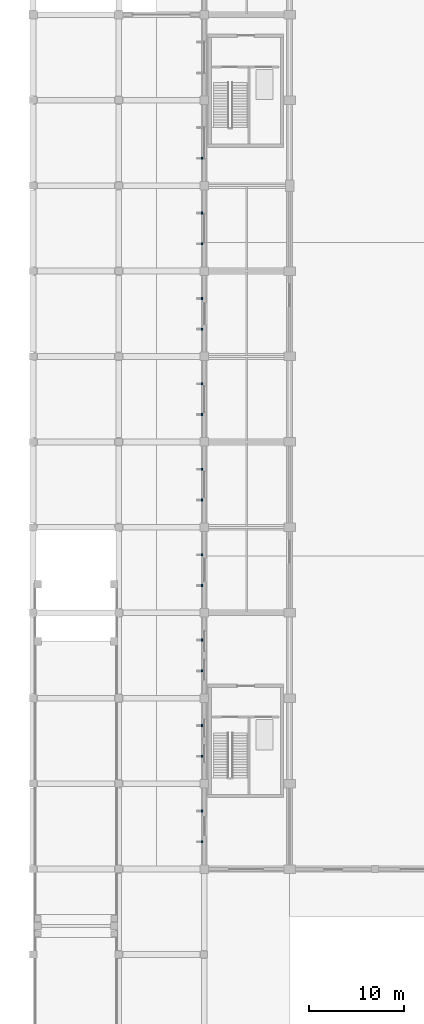
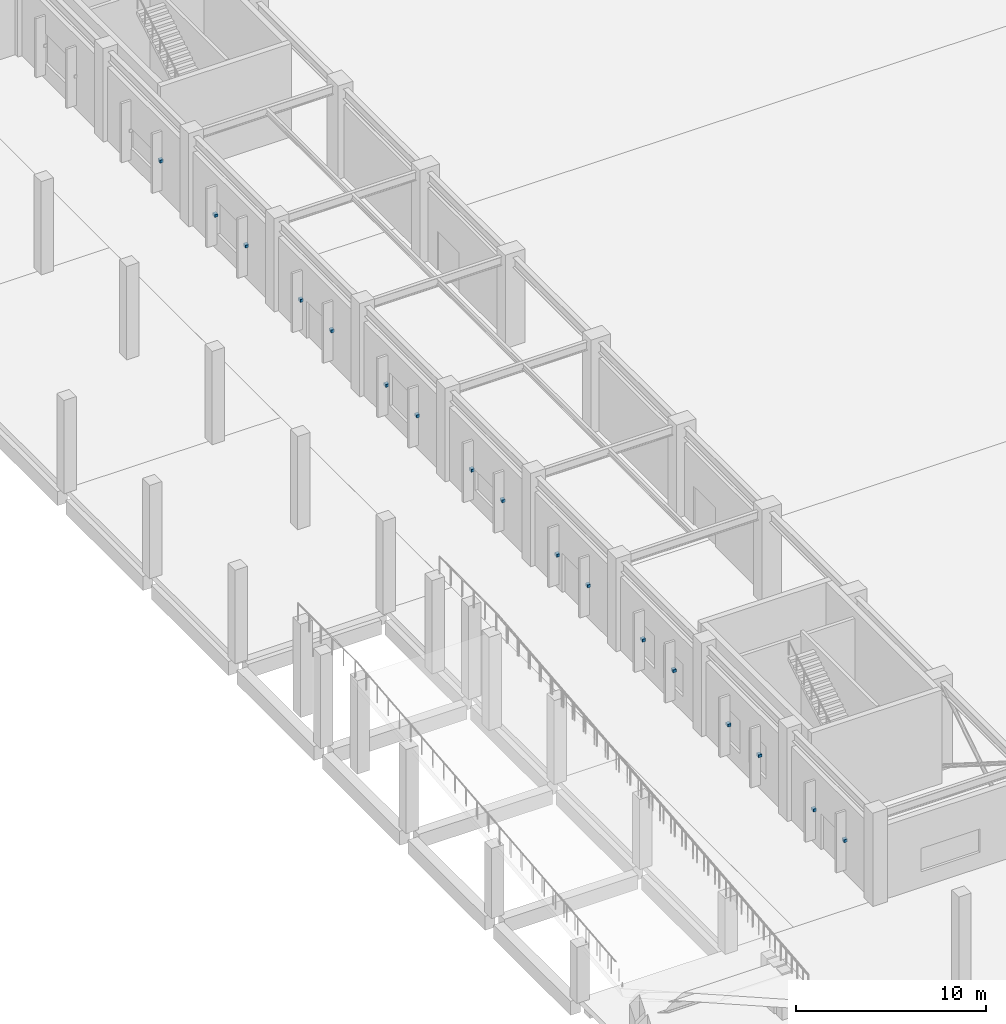
# One storey, part 72 of 91: 17 discrete accessories.
"""IFC4 building model written with IfcOpenShell, lengths in metres."""

from ifc_helpers import new_model, si_unit, direction, frame, origin, origin_2d, place, context, subcontext, project, spatial, rectangle, extrude, material, layer, layer_set, type_object, element, save


model = new_model("IFC4")

# Units and contexts
model_context = context("Model", 3, precision=1e-05, world=origin(), true_north=direction((0.0, 1.0)))
body_context = subcontext(model_context, "Body", "Model", "MODEL_VIEW")
ifc_project = project(units=[si_unit("LENGTHUNIT", "METRE"), si_unit("AREAUNIT", "SQUARE_METRE"), si_unit("VOLUMEUNIT", "CUBIC_METRE"), si_unit("PLANEANGLEUNIT", "RADIAN"), si_unit("MASSUNIT", "GRAM", prefix="KILO")], contexts=[model_context])

# Site, building, storey
site_placement = place(None, origin())
site = spatial("IfcSite", under=ifc_project, at=site_placement, CompositionType="ELEMENT")
building_placement = place(site_placement, origin())
building = spatial("IfcBuilding", under=site, at=building_placement, Name="Dornveld Trade and Exhibition Forum", CompositionType="ELEMENT")
storey_placement = place(building_placement, origin())
storey = spatial("IfcBuildingStorey", under=building, at=storey_placement, Name="L00", CompositionType="ELEMENT", Elevation=0.0)

# Discrete accessories
ifc_material = material(Name="Steel S355J2", Category="steel")
ifc_layer = layer(ifc_material, 0.179931640625)
ifc_layer_set = layer_set([ifc_layer], Name="Steel S355J2")
discrete_accessory_type = type_object("IfcDiscreteAccessoryType", Name="ACC-BRK-STL", PredefinedType="BRACKET", material=ifc_layer_set)
for number, where, z_axis, x_axis, name in (
    (1, (17.77001953125, 42.1201171875, 2.10986328125), (0.0, 0.0, 1.0), (0.0, -1.0, 0.0), "L00 solar fin bracket 19"),
    (2, (17.77001953125, 38.8798828125, 2.10986328125), (0.0, 0.0, 1.0), (0.0, -1.0, 0.0), "L00 solar fin bracket 20"),
    (3, (17.77001953125, 51.1201171875, 2.10986328125), (0.0, 0.0, 1.0), (0.0, -1.0, 0.0), "L00 solar fin bracket 27"),
    (4, (17.77001953125, 47.8798828125, 2.10986328125), (0.0, 0.0, 1.0), (0.0, -1.0, 0.0), "L00 solar fin bracket 28"),
    (5, (17.77001953125, 60.1201171875, 2.10986328125), (0.0, 0.0, 1.0), (0.0, -1.0, 0.0), "L00 solar fin bracket 35"),
    (6, (17.77001953125, 56.8798828125, 2.10986328125), (0.0, 0.0, 1.0), (0.0, -1.0, 0.0), "L00 solar fin bracket 36"),
    (7, (17.77001953125, 69.1201171875, 2.10986328125), (0.0, 0.0, 1.0), (0.0, -1.0, 0.0), "L00 solar fin bracket 43"),
    (8, (17.77001953125, 65.8798828125, 2.10986328125), (0.0, 0.0, 1.0), (0.0, -1.0, 0.0), "L00 solar fin bracket 44"),
    (9, (17.77001953125, 78.1201171875, 2.10986328125), (0.0, 0.0, 1.0), (0.0, -1.0, 0.0), "L00 solar fin bracket 51"),
    (10, (17.77001953125, 74.8798828125, 2.10986328125), (0.0, 0.0, 1.0), (0.0, -1.0, 0.0), "L00 solar fin bracket 52"),
    (11, (17.77001953125, 87.1201171875, 2.10986328125), (0.0, 0.0, 1.0), (0.0, -1.0, 0.0), "L00 solar fin bracket 59"),
    (12, (17.77001953125, 83.8798828125, 2.10986328125), (0.0, 0.0, 1.0), (0.0, -1.0, 0.0), "L00 solar fin bracket 60"),
    (13, (17.77001953125, 96.1201171875, 2.10986328125), (0.0, 0.0, 1.0), (0.0, -1.0, 0.0), "L00 solar fin bracket 67"),
    (14, (17.77001953125, 92.8798828125, 2.10986328125), (0.0, 0.0, 1.0), (0.0, -1.0, 0.0), "L00 solar fin bracket 68"),
    (15, (17.77001953125, 105.1201171875, 2.10986328125), (0.0, 0.0, 1.0), (0.0, -1.0, 0.0), "L00 solar fin bracket 75"),
    (16, (17.77001953125, 101.8798828125, 2.10986328125), (0.0, 0.0, 1.0), (0.0, -1.0, 0.0), "L00 solar fin bracket 76"),
    (17, (17.77001953125, 110.8798828125, 2.10986328125), (0.0, 0.0, 1.0), (0.0, -1.0, 0.0), "L00 solar fin bracket 82"),
):
    element("IfcDiscreteAccessory", number, at=place(storey_placement, frame(where, z_axis=z_axis, x_axis=x_axis)), inside=storey, type_object=discrete_accessory_type, Name=name, PredefinedType="BRACKET", context=body_context, shape_type="SweptSolid", body=[
        extrude(rectangle(XDim=0.239990234375, YDim=0.199951171875, at=origin_2d()), origin(), (0.0, 0.0, 1.0), 0.179931640625),
    ])

save(model, "model.ifc")
